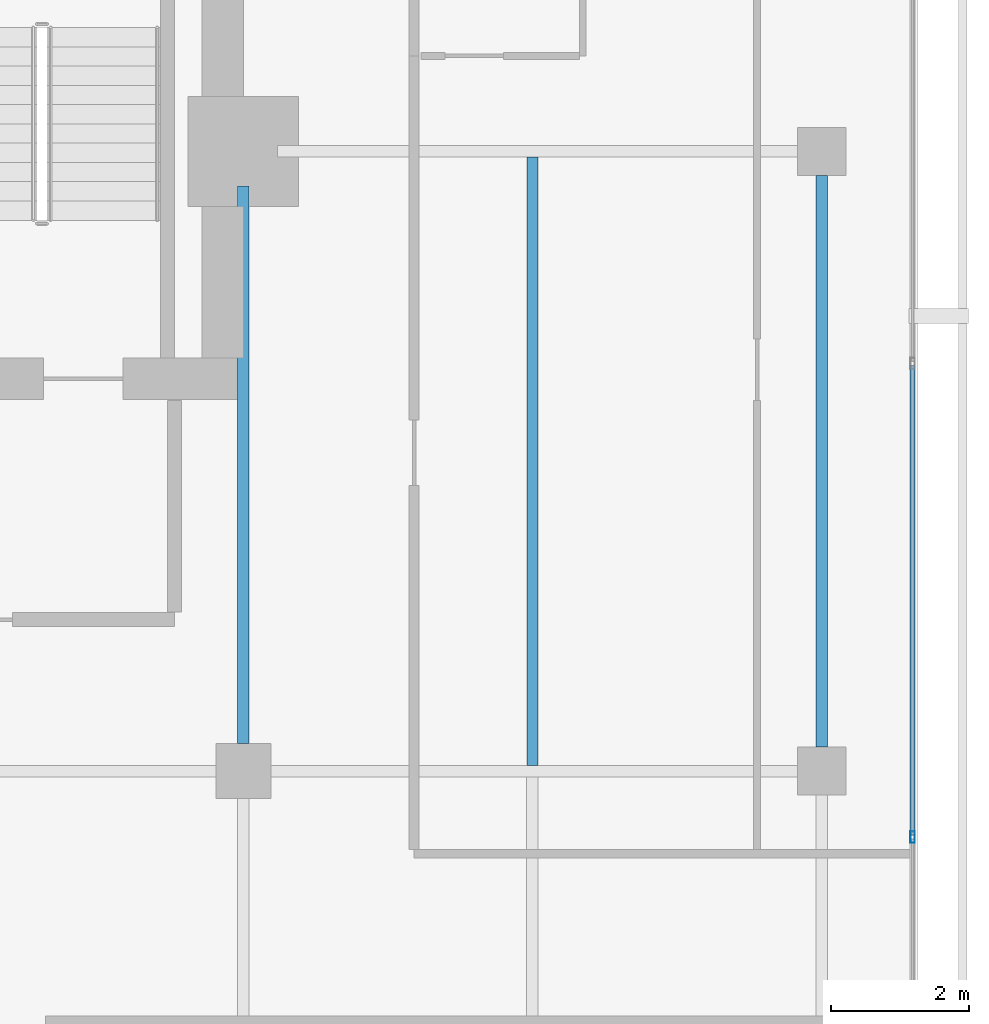
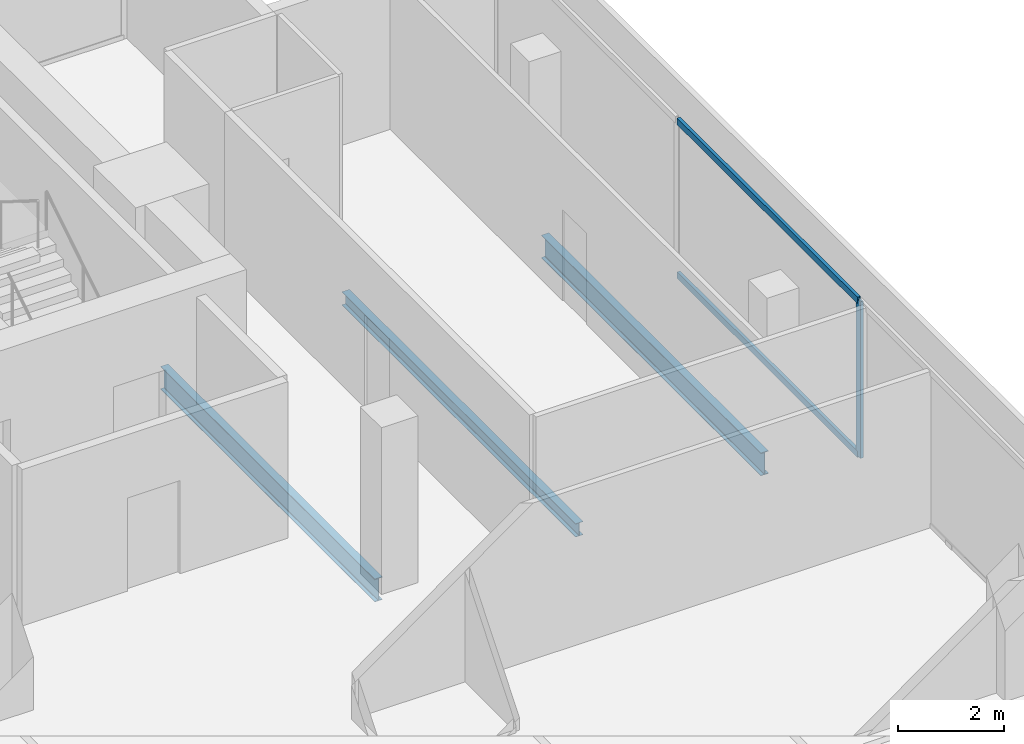
# One storey, part 15 of 25: 3 beams, 3 members, 1 element without a shape of its own.
"""IFC4 building model written with IfcOpenShell, lengths in metres."""

from ifc_helpers import new_model, si_unit, direction, frame, origin, origin_2d, place, context, subcontext, project, spatial, hollow_rectangle, i_section, extrude, material, layer, layer_set, material_profile, profile_set, type_object, element, aggregate, save


model = new_model("IFC4")

# Units and contexts
model_context = context("Model", 3, precision=1e-05, world=origin(), true_north=direction((0.0, 1.0)))
body_context = subcontext(model_context, "Body", "Model", "MODEL_VIEW")
ifc_project = project(units=[si_unit("LENGTHUNIT", "METRE"), si_unit("AREAUNIT", "SQUARE_METRE"), si_unit("VOLUMEUNIT", "CUBIC_METRE"), si_unit("PLANEANGLEUNIT", "RADIAN"), si_unit("MASSUNIT", "GRAM", prefix="KILO")], contexts=[model_context])

# Site, building, storey
site_placement = place(None, origin())
site = spatial("IfcSite", under=ifc_project, at=site_placement, CompositionType="ELEMENT")
building_placement = place(site_placement, origin())
building = spatial("IfcBuilding", under=site, at=building_placement, Name="Maruvema Waterfront Hotel and Observation Tower", CompositionType="ELEMENT")
storey_placement = place(building_placement, frame((0.0, 0.0, 308.699951171875)))
storey = spatial("IfcBuildingStorey", under=building, at=storey_placement, Name="L76", CompositionType="ELEMENT", Elevation=308.699951171875)

# Curtain wall, members
ifc_material_1 = material(Name="Anodised bronze aluminium and solar-control low-E IGU", Category="aluminium")
ifc_layer = layer(ifc_material_1, 0.159912109375, Name="Zone 3 Champagne Inner Thermal Curtain Wall System CW-04")
ifc_layer_set = layer_set([ifc_layer], Name="Anodised bronze aluminium and solar-control low-E IGU")
curtain_wall_type = type_object("IfcCurtainWallType", Name="Zone 3 Champagne Inner Thermal Curtain Wall System CW-04", PredefinedType="USERDEFINED", material=ifc_layer_set)
curtain_wall_placement = place(storey_placement, origin())
curtain_wall = element("IfcCurtainWall", 1, at=curtain_wall_placement, inside=storey, type_object=curtain_wall_type, Name="L76 Curtain Wall CW-L76-E", ObjectType="UNITISED CURTAIN WALL", PredefinedType="USERDEFINED")
ifc_material_2 = material(Name="Anodised architectural bronze aluminium", Category="aluminium")
ifc_material_profile_1 = material_profile(ifc_material_2, hollow_rectangle(XDim=0.070068359375, YDim=0.14990234375, WallThickness=0.00390625, at=origin_2d()), Name="ALU-T70x150")
ifc_profile_set_1 = profile_set([ifc_material_profile_1], Name="Anodised architectural bronze aluminium")
member_type_1 = type_object("IfcMemberType", Name="Curtain Wall Horizontal Transom ALU-T70x150", PredefinedType="USERDEFINED", material=ifc_profile_set_1)
member_1_placement = place(storey_placement, frame((60.1201171875, 35.070068359375, 0.030029296875), z_axis=(0.0, 1.0, 0.0), x_axis=(-1.0, 0.0, 0.0)))
member_1 = element("IfcMember", 2, at=member_1_placement, type_object=member_type_1, Name="CW-04 transom 4.1", ObjectType="TRANSOM", PredefinedType="USERDEFINED", context=body_context, shape_type="SweptSolid", body=[
    extrude(hollow_rectangle(XDim=0.070068359375, YDim=0.14990234375, WallThickness=0.00390625, at=origin_2d()), origin(), (0.0, 0.0, 1.0), 6.81982421875),
])
member_2_placement = place(storey_placement, frame((60.1201171875, 35.070068359375, 3.580078125), z_axis=(0.0, 1.0, 0.0), x_axis=(-1.0, 0.0, 0.0)))
member_2 = element("IfcMember", 3, at=member_2_placement, type_object=member_type_1, Name="CW-04 transom 4.2", ObjectType="TRANSOM", PredefinedType="USERDEFINED", context=body_context, shape_type="SweptSolid", body=[
    extrude(hollow_rectangle(XDim=0.070068359375, YDim=0.14990234375, WallThickness=0.00390625, at=origin_2d()), origin(), (0.0, 0.0, 1.0), 6.81982421875),
])
ifc_material_3 = material(Name="Anodised architectural bronze aluminium", Category="aluminium")
ifc_material_profile_2 = material_profile(ifc_material_3, hollow_rectangle(XDim=0.06494140625, YDim=0.1650390625, WallThickness=0.00390625, at=origin_2d()), Name="ALU-M65x165")
ifc_profile_set_2 = profile_set([ifc_material_profile_2], Name="Anodised architectural bronze aluminium")
member_type_2 = type_object("IfcMemberType", Name="Curtain Wall Primary Mullion ALU-M65x165", PredefinedType="MULLION", material=ifc_profile_set_2)
member_3_placement = place(storey_placement, frame((60.1201171875, 35.0400390625, 0.0), z_axis=(0.0, 0.0, 1.0), x_axis=(-1.0, 0.0, 0.0)))
member_3 = element("IfcMember", 4, at=member_3_placement, type_object=member_type_2, Name="CW-04 mullion 4", PredefinedType="MULLION", context=body_context, shape_type="SweptSolid", body=[
    extrude(hollow_rectangle(XDim=0.06494140625, YDim=0.1650390625, WallThickness=0.00390625, at=origin_2d()), origin(), (0.0, 0.0, 1.0), 3.610107421875),
])
aggregate(curtain_wall, [member_3, member_1, member_2])

# Beams
ifc_material_4 = material(Name="Steel ASTM A572 Grade 50", Category="steel")
ifc_material_profile_3 = material_profile(ifc_material_4, i_section(OverallWidth=0.166015625, OverallDepth=0.529052734375, WebThickness=0.009765625, FlangeThickness=0.013671875, FilletRadius=0.014892578125, at=origin_2d()), Name="W530x74.0")
ifc_profile_set_3 = profile_set([ifc_material_profile_3], Name="Steel ASTM A572 Grade 50")
beam_type_1 = type_object("IfcBeamType", Name="Primary Floor Girder W530x74.0", PredefinedType="BEAM", material=ifc_profile_set_3)
beam_1_placement = place(storey_placement, frame((50.39990234375, 36.39990234375, -0.50439453125), z_axis=(0.0, 1.0, 0.0), x_axis=(-1.0, 0.0, 0.0)))
element("IfcBeam", 5, at=beam_1_placement, inside=storey, type_object=beam_type_1, Name="L76 Floor Girder NS-15", PredefinedType="BEAM", context=body_context, shape_type="SweptSolid", body=[
    extrude(i_section(OverallWidth=0.166015625, OverallDepth=0.529052734375, WebThickness=0.009765625, FlangeThickness=0.013671875, FilletRadius=0.014892578125, at=origin_2d()), origin(), (0.0, 0.0, 1.0), 8.10009765625),
])
beam_2_placement = place(storey_placement, frame((58.800048828125, 36.35009765625, -0.50439453125), z_axis=(0.0, 1.0, 0.0), x_axis=(-1.0, 0.0, 0.0)))
element("IfcBeam", 6, at=beam_2_placement, inside=storey, type_object=beam_type_1, Name="L76 Floor Girder NS-18", PredefinedType="BEAM", context=body_context, shape_type="SweptSolid", body=[
    extrude(i_section(OverallWidth=0.166015625, OverallDepth=0.529052734375, WebThickness=0.009765625, FlangeThickness=0.013671875, FilletRadius=0.014892578125, at=origin_2d()), origin(), (0.0, 0.0, 1.0), 8.2998046875),
])
ifc_material_5 = material(Name="Steel ASTM A572 Grade 50", Category="steel")
ifc_material_profile_4 = material_profile(ifc_material_5, i_section(OverallWidth=0.1650390625, OverallDepth=0.31005859375, WebThickness=0.005859375, FlangeThickness=0.009765625, FilletRadius=0.012939453125, at=origin_2d()), Name="W310x38.7")
ifc_profile_set_4 = profile_set([ifc_material_profile_4], Name="Steel ASTM A572 Grade 50")
beam_type_2 = type_object("IfcBeamType", Name="Secondary Floor Joist W310x38.7", PredefinedType="JOIST", material=ifc_profile_set_4)
beam_3_placement = place(storey_placement, frame((54.60009765625, 36.0830078125, -0.39501953125), z_axis=(0.0, 1.0, 0.0), x_axis=(-1.0, 0.0, 0.0)))
element("IfcBeam", 7, at=beam_3_placement, inside=storey, type_object=beam_type_2, Name="L76 Secondary Floor Joist JS-09", PredefinedType="JOIST", context=body_context, shape_type="SweptSolid", body=[
    extrude(i_section(OverallWidth=0.1650390625, OverallDepth=0.31005859375, WebThickness=0.005859375, FlangeThickness=0.009765625, FilletRadius=0.012939453125, at=origin_2d()), origin(), (0.0, 0.0, 1.0), 8.833984375),
])

save(model, "model.ifc")
